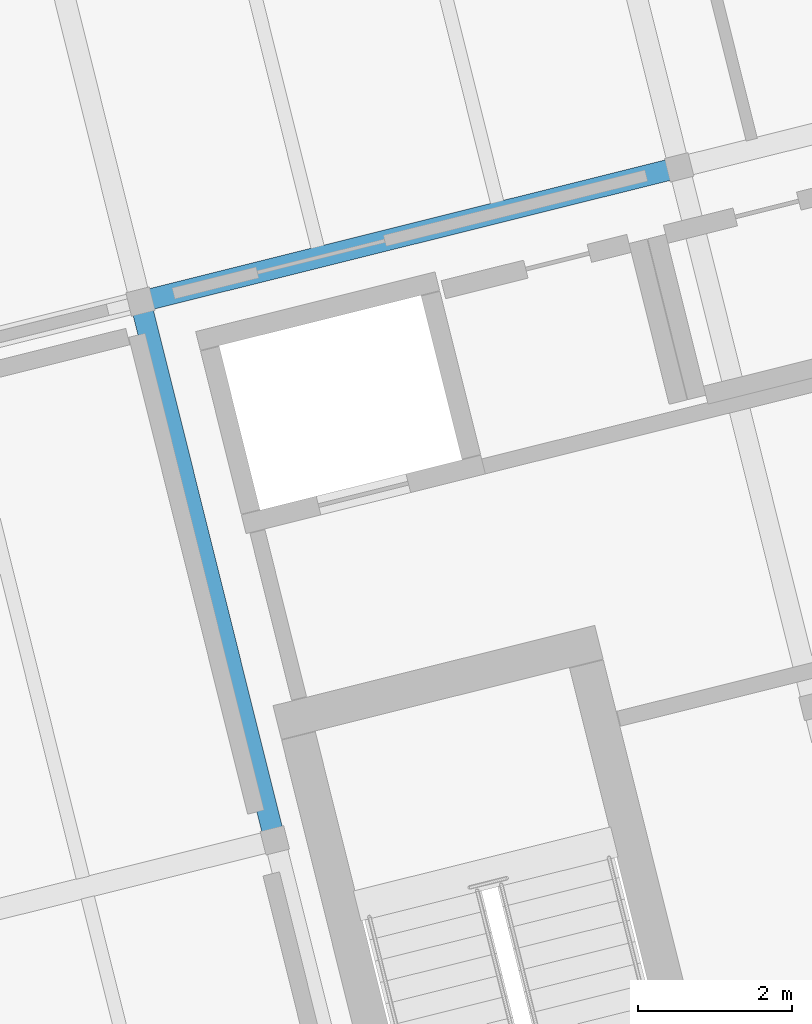
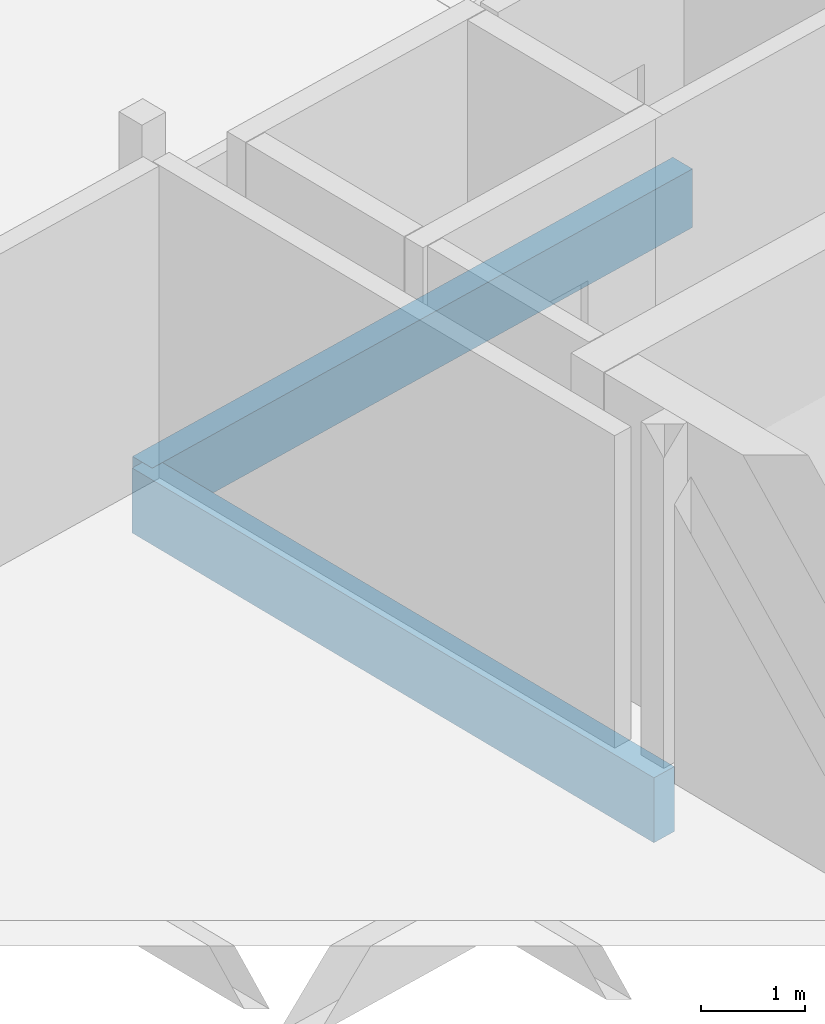
# One storey, part 10 of 24: 2 beams.
"""IFC4 building model written with IfcOpenShell, lengths in metres."""

import ifcopenshell
import ifcopenshell.guid

model = None  # the IFC model being written
_history = None  # IfcOwnerHistory: only IFC2X3 demands one
_inside = {}  # id of a spatial element -> (the spatial element, [elements in it])
_under = {}  # id of a project, library or spatial element -> (it, [spatial elements below it])
_declared = {}  # id of a project -> (the project, [libraries it declares])
_typed = {}  # id of a type object -> (the type object, [elements of that type])
_made_of = {}  # id of a material, layer set ... -> (it, [elements and type objects made of it])


def new_model(schema):
    """Start an empty IFC model of exactly this schema.

    Asked for "IFC4X3", IfcOpenShell would pick the latest addendum, in which some entities
    have other attributes; the version numbers below select the first issue.
    IFC2X3 requires an IfcOwnerHistory on every rooted entity: one is made here for all.
    """
    global model, _history
    if schema == "IFC4X3":
        model = ifcopenshell.file(schema_version=(4, 3, 0, 0))
    else:
        model = ifcopenshell.file(schema=schema)
    _inside.clear()
    _under.clear()
    _declared.clear()
    _typed.clear()
    _made_of.clear()
    _history = None
    if model.schema == "IFC2X3":
        org = make("IfcOrganization", Name="unknown")
        user = make(
            "IfcPersonAndOrganization",
            ThePerson=make("IfcPerson", FamilyName="unknown"),
            TheOrganization=org,
        )
        app = make(
            "IfcApplication",
            ApplicationDeveloper=org,
            Version="unknown",
            ApplicationFullName="unknown",
            ApplicationIdentifier="unknown",
        )
        _history = make(
            "IfcOwnerHistory",
            OwningUser=user,
            OwningApplication=app,
            ChangeAction="ADDED",
            CreationDate=0,
        )
    return model


def make(cls, **values):
    """One entity of the class cls with the attributes given. An attribute that is None is left unset."""
    return model.create_entity(
        cls, **{name: value for name, value in values.items() if value is not None}
    )


def rooted(cls, **values):
    """An entity with a GlobalId (a new one), such as an element, a storey or a relation."""
    return make(cls, GlobalId=ifcopenshell.guid.new(), OwnerHistory=_history, **values)


def si_unit(unit_type, name, prefix=None):
    """IfcSIUnit, for example si_unit("LENGTHUNIT", "METRE", prefix="MILLI")."""
    return make("IfcSIUnit", UnitType=unit_type, Prefix=prefix, Name=name)


def assignment(units):
    """IfcUnitAssignment: the units of a project."""
    return None if units is None else make("IfcUnitAssignment", Units=units)


def point(xyz):
    """IfcCartesianPoint."""
    return None if xyz is None else make("IfcCartesianPoint", Coordinates=xyz)


def direction(xyz):
    """IfcDirection."""
    return None if xyz is None else make("IfcDirection", DirectionRatios=xyz)


def frame(location, z_axis=None, x_axis=None):
    """IfcAxis2Placement3D, a coordinate frame: its origin and axes. An axis left out is left unset."""
    return make(
        "IfcAxis2Placement3D",
        Location=point(location),
        Axis=direction(z_axis),
        RefDirection=direction(x_axis),
    )


def frame_2d(location, x_axis=None):
    """IfcAxis2Placement2D, a coordinate frame in the plane: its origin and x axis."""
    return make(
        "IfcAxis2Placement2D", Location=point(location), RefDirection=direction(x_axis)
    )


def origin():
    """The frame at (0, 0, 0) with its axes left unset."""
    return frame((0.0, 0.0, 0.0))


def origin_2d():
    """The frame at (0, 0) in the plane with its x axis left unset."""
    return frame_2d((0.0, 0.0))


def place(relative_to, where):
    """IfcLocalPlacement: puts the frame where relative to a parent placement (None: the world)."""
    return make(
        "IfcLocalPlacement", PlacementRelTo=relative_to, RelativePlacement=where
    )


def context(
    kind, dimensions, precision=None, world=None, true_north=None, identifier=None
):
    """IfcGeometricRepresentationContext, for example the 3D "Model" context."""
    return make(
        "IfcGeometricRepresentationContext",
        ContextIdentifier=identifier,
        ContextType=kind,
        CoordinateSpaceDimension=dimensions,
        Precision=precision,
        WorldCoordinateSystem=world,
        TrueNorth=true_north,
    )


def subcontext(parent, identifier, kind, view, scale=None):
    """IfcGeometricRepresentationSubContext, for example "Body" below "Model"."""
    return make(
        "IfcGeometricRepresentationSubContext",
        ContextIdentifier=identifier,
        ContextType=kind,
        ParentContext=parent,
        TargetScale=scale,
        TargetView=view,
    )


def project(units=None, contexts=None):
    """IfcProject with its units and contexts."""
    return rooted(
        "IfcProject",
        Name="project",
        RepresentationContexts=contexts,
        UnitsInContext=assignment(units),
    )


def spatial(cls, under=None, at=None, **own):
    """A site, building, storey or space (cls), placed at a placement, below another one or the project."""
    s = rooted(cls, ObjectPlacement=at, **own)
    if under is not None:
        _under.setdefault(under.id(), (under, []))[1].append(s)
    return s


def profile(cls, at=None, kind="AREA", **sizes):
    """A parametric profile (cls). Its sizes go by their IFC names, for example OverallWidth=200.0."""
    return make(cls, ProfileType=kind, Position=at, **sizes)


def rectangle(**sizes):
    """IfcRectangleProfileDef."""
    return profile("IfcRectangleProfileDef", **sizes)


def extrude(swept, where, along, depth):
    """IfcExtrudedAreaSolid: the profile swept, set in the frame where, extruded along a direction by depth."""
    return make(
        "IfcExtrudedAreaSolid",
        SweptArea=swept,
        Position=where,
        ExtrudedDirection=direction(along),
        Depth=depth,
    )


def shape(context_of_items, identifier, shape_type, items):
    """IfcShapeRepresentation: the items that make up one representation, for example the "Body"."""
    return make(
        "IfcShapeRepresentation",
        ContextOfItems=context_of_items,
        RepresentationIdentifier=identifier,
        RepresentationType=shape_type,
        Items=items,
    )


def material(Name=None, Category=None):
    """IfcMaterial."""
    return make("IfcMaterial", Name=Name, Category=Category)


def material_profile(
    of_material, cross_section, Name=None, Category=None, Priority=None
):
    """IfcMaterialProfile: a cross section and its material."""
    return make(
        "IfcMaterialProfile",
        Name=Name,
        Material=of_material,
        Profile=cross_section,
        Priority=Priority,
        Category=Category,
    )


def profile_set(profiles, Name=None, composite=None):
    """IfcMaterialProfileSet."""
    return make(
        "IfcMaterialProfileSet",
        Name=Name,
        MaterialProfiles=profiles,
        CompositeProfile=composite,
    )


def made_of(thing, what):
    """Note that an element or type object is made of a material, layer set ...; save() writes the relation."""
    if what is not None:
        _made_of.setdefault(what.id(), (what, []))[1].append(thing)
    return thing


def type_object(cls, material=None, **own):
    """A type object (cls), such as IfcWallType, which elements share."""
    return made_of(rooted(cls, **own), material)


def element(
    cls,
    number,
    at=None,
    inside=None,
    cuts=None,
    type_object=None,
    material=None,
    context=None,
    identifier="Body",
    shape_type=None,
    held_by="IfcProductDefinitionShape",
    body=None,
    shapes=None,
    **own,
):
    """One element of the class cls, such as IfcWall. Its Tag is "e" and its number.

    at: its placement. inside: the storey or other place that contains it. cuts: it is an
    opening in that element (IfcRelVoidsElement). A single representation is given by context,
    identifier, shape_type and body (its items); several are given by shapes. held_by: the class
    of the entity that holds the representations. save() writes the other relations.
    """
    e = rooted(cls, Tag="e%d" % number, ObjectPlacement=at, **own)
    if body is not None:
        shapes = [shape(context, identifier, shape_type, body)]
    if shapes is not None:
        e.Representation = make(held_by, Representations=shapes)
    if inside is not None:
        _inside.setdefault(inside.id(), (inside, []))[1].append(e)
    if cuts is not None:
        rooted(
            "IfcRelVoidsElement", RelatingBuildingElement=cuts, RelatedOpeningElement=e
        )
    if type_object is not None:
        _typed.setdefault(type_object.id(), (type_object, []))[1].append(e)
    return made_of(e, material)


def aggregate(whole, parts):
    """IfcRelAggregates: a whole, such as a stair, and the parts it consists of."""
    return rooted("IfcRelAggregates", RelatingObject=whole, RelatedObjects=parts)


def save(model, path):
    """Write the relations noted so far, then the file.

    IfcRelAggregates (storeys below a building ...), IfcRelContainedInSpatialStructure (elements
    in a storey), IfcRelDefinesByType, IfcRelAssociatesMaterial and IfcRelDeclares: one each for
    every whole, place, type object, material and project.
    """
    for whole, parts in _under.values():
        aggregate(whole, parts)
    for where, things in _inside.values():
        rooted(
            "IfcRelContainedInSpatialStructure",
            RelatedElements=things,
            RelatingStructure=where,
        )
    for kind, things in _typed.values():
        rooted("IfcRelDefinesByType", RelatedObjects=things, RelatingType=kind)
    for what, things in _made_of.values():
        rooted("IfcRelAssociatesMaterial", RelatedObjects=things, RelatingMaterial=what)
    for by, libraries in _declared.values():
        rooted("IfcRelDeclares", RelatingContext=by, RelatedDefinitions=libraries)
    model.write(path)


model = new_model("IFC4")

# Units and contexts
model_context = context("Model", 3, precision=1e-05, world=origin(), true_north=direction((0.0, 1.0)))
body_context = subcontext(model_context, "Body", "Model", "MODEL_VIEW")
ifc_project = project(units=[si_unit("LENGTHUNIT", "METRE"), si_unit("AREAUNIT", "SQUARE_METRE"), si_unit("VOLUMEUNIT", "CUBIC_METRE"), si_unit("PLANEANGLEUNIT", "RADIAN"), si_unit("MASSUNIT", "GRAM", prefix="KILO")], contexts=[model_context])

# Site, building, storey
site_placement = place(None, origin())
site = spatial("IfcSite", under=ifc_project, at=site_placement, CompositionType="ELEMENT")
building_placement = place(site_placement, origin())
building = spatial("IfcBuilding", under=site, at=building_placement, Name="Meriwether Solvik Hall", CompositionType="ELEMENT")
storey_placement = place(building_placement, frame((0.0, 0.0, 57.300048828125)))
storey = spatial("IfcBuildingStorey", under=building, at=storey_placement, Name="L14", CompositionType="ELEMENT", Elevation=57.300048828125)

# Beams
ifc_material_1 = material(Name="Glulam Douglas-Fir 24F-V8 GL28h", Category="wood")
ifc_material_profile_1 = material_profile(ifc_material_1, rectangle(XDim=0.27294921875, YDim=0.68505859375, at=origin_2d()), Name="GLB-273X685")
ifc_profile_set_1 = profile_set([ifc_material_profile_1], Name="Glulam Douglas-Fir 24F-V8 GL28h")
beam_type_1 = type_object("IfcBeamType", Name="BM-GL-273X685", PredefinedType="BEAM", material=ifc_profile_set_1)
beam_1_placement = place(storey_placement, frame((70.893798828125, 63.414794921875, -0.54248046875), z_axis=(0.970293896644, 0.241929233735, 0.0), x_axis=(-0.241929233735, 0.970293896644, 0.0)))
element("IfcBeam", 1, at=beam_1_placement, inside=storey, type_object=beam_type_1, Name="Tower Girder TD:T2-T3 (L14)", PredefinedType="BEAM", context=body_context, shape_type="SweptSolid", body=[
    extrude(rectangle(XDim=0.27294921875, YDim=0.68505859375, at=origin_2d()), origin(), (0.0, 0.0, 1.0), 7.2001953125),
])
ifc_material_2 = material(Name="Glulam Douglas-Fir 24F-V8 GL28h", Category="wood")
ifc_material_profile_2 = material_profile(ifc_material_2, rectangle(XDim=0.27294921875, YDim=0.760009765625, at=origin_2d()), Name="GLB-273X760")
ifc_profile_set_2 = profile_set([ifc_material_profile_2], Name="Glulam Douglas-Fir 24F-V8 GL28h")
beam_type_2 = type_object("IfcBeamType", Name="BM-GL-273X760", PredefinedType="BEAM", material=ifc_profile_set_2)
beam_2_placement = place(storey_placement, frame((72.6357421875, 56.4287109375, -0.580078125), z_axis=(-0.241937193493, 0.970291911955, 0.0), x_axis=(-0.970291911955, -0.241937193493, 0.0)))
element("IfcBeam", 2, at=beam_2_placement, inside=storey, type_object=beam_type_2, Name="Tower Girder T2:TC-TD (L14)", PredefinedType="BEAM", context=body_context, shape_type="SweptSolid", body=[
    extrude(rectangle(XDim=0.27294921875, YDim=0.760009765625, at=origin_2d()), origin(), (0.0, 0.0, 1.0), 7.199951171875),
])

save(model, "model.ifc")
